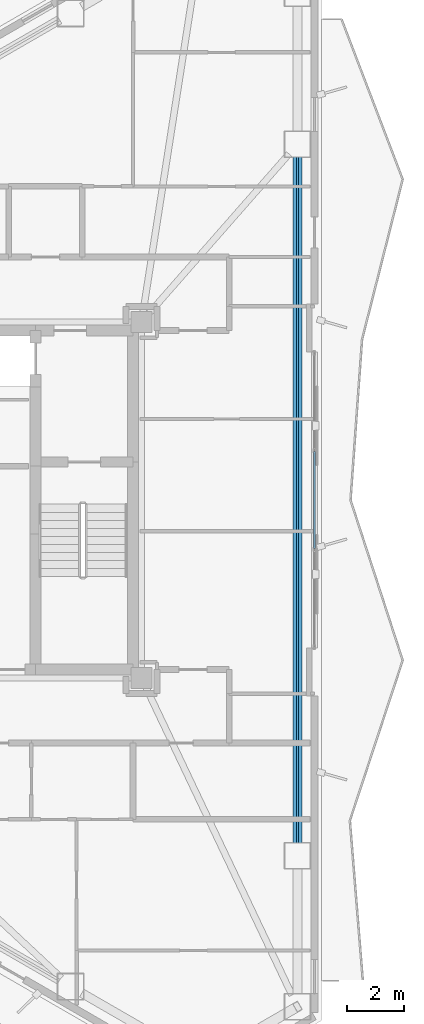
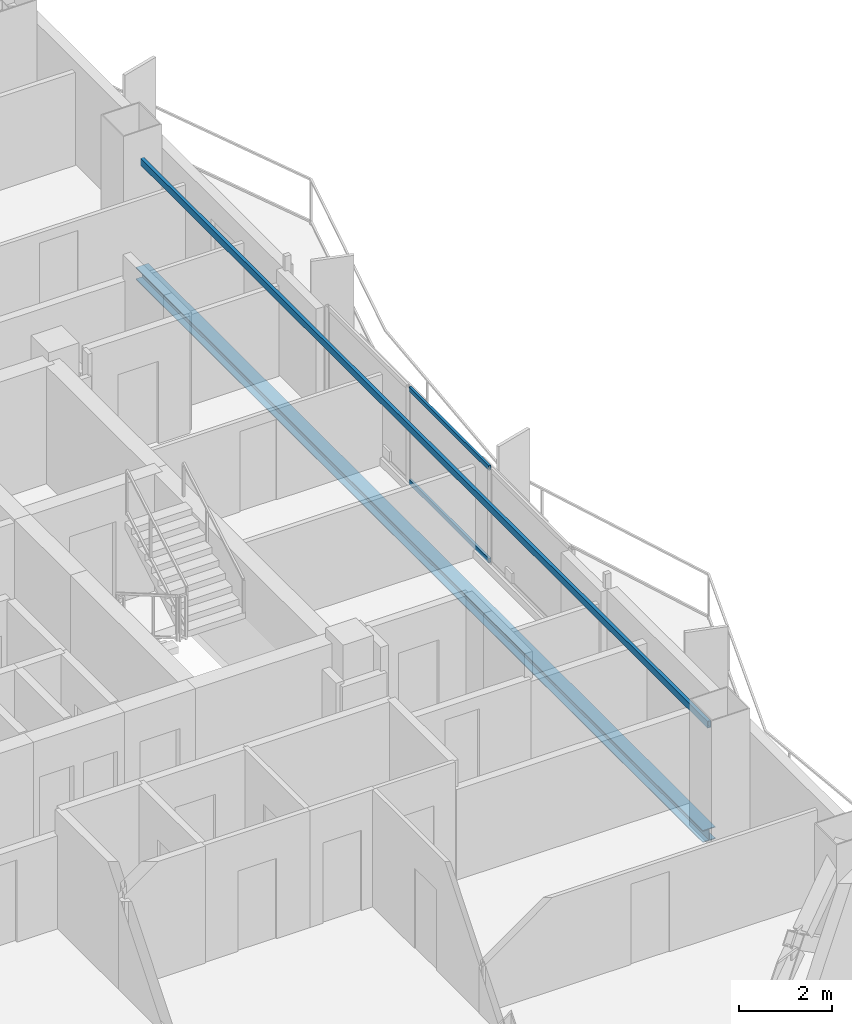
# One storey, part 8 of 19: 2 beams, 2 members, 1 element without a shape of its own.
"""IFC4 building model written with IfcOpenShell, lengths in metres."""

from ifc_helpers import new_model, si_unit, direction, frame, origin, origin_2d, place, context, subcontext, project, spatial, hollow_rectangle, i_section, extrude, material, layer, layer_set, material_profile, profile_set, type_object, element, aggregate, save


model = new_model("IFC4")

# Units and contexts
model_context = context("Model", 3, precision=1e-05, world=origin(), true_north=direction((0.0, 1.0)))
body_context = subcontext(model_context, "Body", "Model", "MODEL_VIEW")
ifc_project = project(units=[si_unit("LENGTHUNIT", "METRE"), si_unit("AREAUNIT", "SQUARE_METRE"), si_unit("VOLUMEUNIT", "CUBIC_METRE"), si_unit("PLANEANGLEUNIT", "RADIAN"), si_unit("MASSUNIT", "GRAM", prefix="KILO")], contexts=[model_context])

# Site, building, storey
site_placement = place(None, origin())
site = spatial("IfcSite", under=ifc_project, at=site_placement, CompositionType="ELEMENT")
building_placement = place(site_placement, origin())
building = spatial("IfcBuilding", under=site, at=building_placement, Name="Mersakhor Tower and Convention Hall", CompositionType="ELEMENT")
storey_placement = place(building_placement, frame((0.0, 0.0, 131.10009765625)))
storey = spatial("IfcBuildingStorey", under=building, at=storey_placement, Name="L36", CompositionType="ELEMENT", Elevation=131.10009765625)

# Beams
ifc_material_1 = material(Name="Steel S355", Category="steel")
ifc_material_profile_1 = material_profile(ifc_material_1, hollow_rectangle(XDim=0.080078125, YDim=0.179931640625, WallThickness=0.008056640625, at=origin_2d()), Name="RHS 180x80x8")
ifc_profile_set_1 = profile_set([ifc_material_profile_1], Name="Steel S355")
beam_type_1 = type_object("IfcBeamType", Name="BM-GRT-RHS180", PredefinedType="USERDEFINED", material=ifc_profile_set_1)
beam_1_placement = place(storey_placement, frame((41.619140625, 38.8837890625, 2.47998046875), z_axis=(0.0, -1.0, 0.0), x_axis=(1.0, 0.0, 0.0)))
element("IfcBeam", 1, at=beam_1_placement, inside=storey, type_object=beam_type_1, Name="L36 Facade Support Girt GRT-F2", ObjectType="GIRT", PredefinedType="USERDEFINED", context=body_context, shape_type="SweptSolid", body=[
    extrude(hollow_rectangle(XDim=0.080078125, YDim=0.179931640625, WallThickness=0.008056640625, at=origin_2d()), origin(), (0.0, 0.0, 1.0), 24.267578125),
])
ifc_material_2 = material(Name="Steel S355", Category="steel")
ifc_material_profile_2 = material_profile(ifc_material_2, i_section(OverallWidth=0.30908203125, OverallDepth=0.320556640625, WebThickness=0.013916015625, FlangeThickness=0.021728515625, at=origin_2d()), Name="UC 305x305x137")
ifc_profile_set_2 = profile_set([ifc_material_profile_2], Name="Steel S355")
beam_type_2 = type_object("IfcBeamType", Name="BM-SPD-UC305", PredefinedType="SPANDREL", material=ifc_profile_set_2)
beam_2_placement = place(storey_placement, frame((41.619140625, 38.8837890625, -0.400390625), z_axis=(0.0, -1.0, 0.0), x_axis=(1.0, 0.0, 0.0)))
element("IfcBeam", 2, at=beam_2_placement, inside=storey, type_object=beam_type_2, Name="L36 Perimeter Spandrel Beam SPB-06", PredefinedType="SPANDREL", context=body_context, shape_type="SweptSolid", body=[
    extrude(i_section(OverallWidth=0.30908203125, OverallDepth=0.320556640625, WebThickness=0.013916015625, FlangeThickness=0.021728515625, at=origin_2d()), origin(), (0.0, 0.0, 1.0), 24.267578125),
])

# Curtain wall, members
ifc_material_3 = material(Name="Dark solar low-E aluminium curtain wall", Category="aluminium")
ifc_layer = layer(ifc_material_3, 0.169921875)
ifc_layer_set = layer_set([ifc_layer], Name="Dark solar low-E aluminium curtain wall")
curtain_wall_type = type_object("IfcCurtainWallType", Name="CW-SYS-02", PredefinedType="USERDEFINED", material=ifc_layer_set)
curtain_wall_placement = place(storey_placement, origin())
curtain_wall = element("IfcCurtainWall", 3, at=curtain_wall_placement, inside=storey, type_object=curtain_wall_type, Name="L36 Dark-Glass Curtain Wall F2-B2", ObjectType="CURTAIN WALL", PredefinedType="USERDEFINED")
ifc_material_4 = material(Name="Anodised aluminium EN AW-6063 T6", Category="aluminium")
ifc_material_profile_3 = material_profile(ifc_material_4, hollow_rectangle(XDim=0.06005859375, YDim=0.1201171875, WallThickness=0.0048828125, at=origin_2d()), Name="RHS 120x60x5")
ifc_profile_set_3 = profile_set([ifc_material_profile_3], Name="Anodised aluminium EN AW-6063 T6")
member_type = type_object("IfcMemberType", Name="CWT-120x60", PredefinedType="USERDEFINED", material=ifc_profile_set_3)
member_1_placement = place(storey_placement, frame((42.21923828125, 28.460205078125, 0.22998046875), z_axis=(0.0, -1.0, 0.0), x_axis=(1.0, 0.0, 0.0)))
member_1 = element("IfcMember", 4, at=member_1_placement, type_object=member_type, Name="CW-02 transom 2.1", ObjectType="TRANSOM", PredefinedType="USERDEFINED", context=body_context, shape_type="SweptSolid", body=[
    extrude(hollow_rectangle(XDim=0.06005859375, YDim=0.1201171875, WallThickness=0.0048828125, at=origin_2d()), origin(), (0.0, 0.0, 1.0), 3.42041015625),
])
member_2_placement = place(storey_placement, frame((42.21923828125, 28.460205078125, 2.64990234375), z_axis=(0.0, -1.0, 0.0), x_axis=(1.0, 0.0, 0.0)))
member_2 = element("IfcMember", 5, at=member_2_placement, type_object=member_type, Name="CW-02 transom 2.2", ObjectType="TRANSOM", PredefinedType="USERDEFINED", context=body_context, shape_type="SweptSolid", body=[
    extrude(hollow_rectangle(XDim=0.06005859375, YDim=0.1201171875, WallThickness=0.0048828125, at=origin_2d()), origin(), (0.0, 0.0, 1.0), 3.42041015625),
])
aggregate(curtain_wall, [member_1, member_2])

save(model, "model.ifc")
